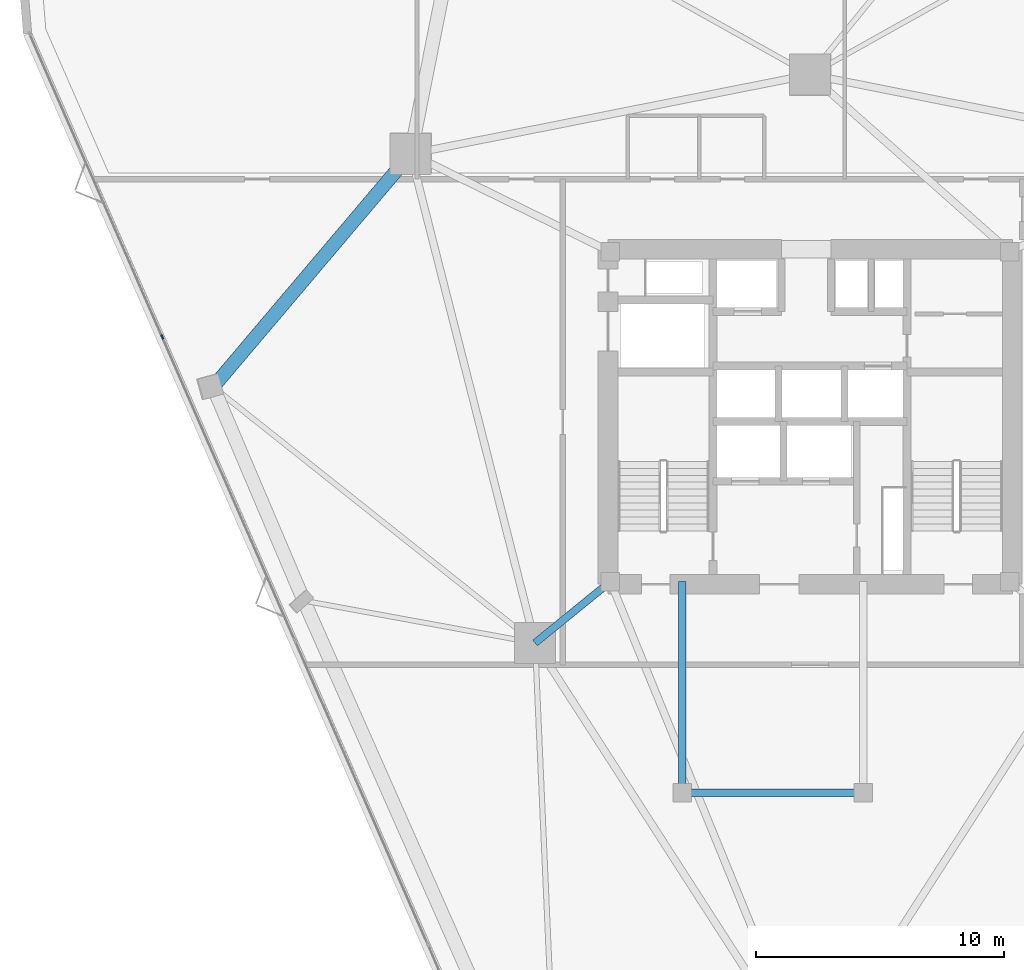
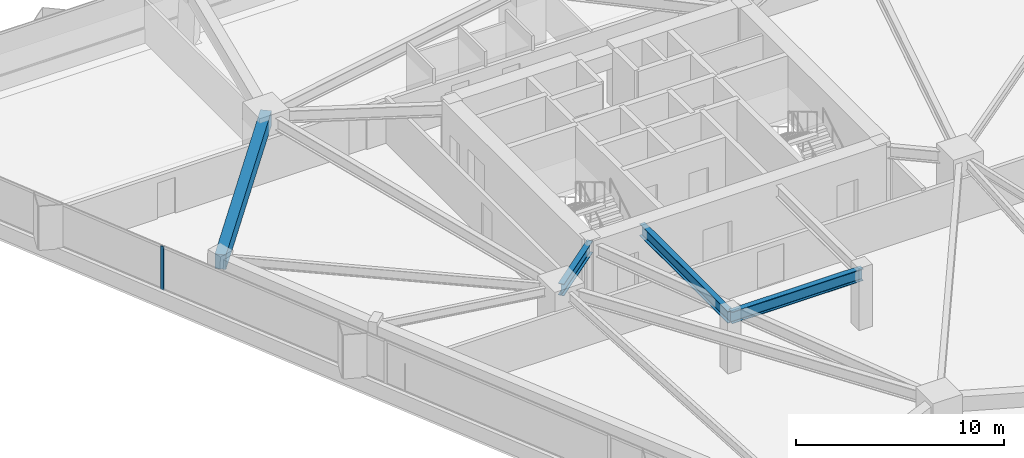
# One storey, part 6 of 20: 4 beams, 1 member, 1 element without a shape of its own.
"""IFC4 building model written with IfcOpenShell, lengths in metres."""

from ifc_helpers import new_model, si_unit, direction, frame, origin, origin_2d, place, context, subcontext, project, spatial, rectangle, i_section, extrude, material, layer, layer_set, material_profile, profile_set, type_object, element, aggregate, save


model = new_model("IFC4")

# Units and contexts
model_context = context("Model", 3, precision=1e-05, world=origin(), true_north=direction((0.0, 1.0)))
body_context = subcontext(model_context, "Body", "Model", "MODEL_VIEW")
ifc_project = project(units=[si_unit("LENGTHUNIT", "METRE"), si_unit("AREAUNIT", "SQUARE_METRE"), si_unit("VOLUMEUNIT", "CUBIC_METRE"), si_unit("PLANEANGLEUNIT", "RADIAN"), si_unit("MASSUNIT", "GRAM", prefix="KILO")], contexts=[model_context])

# Site, building, storey
site_placement = place(None, origin())
site = spatial("IfcSite", under=ifc_project, at=site_placement, CompositionType="ELEMENT")
building_placement = place(site_placement, origin())
building = spatial("IfcBuilding", under=site, at=building_placement, Name="Talyreon Biosciences Tower", CompositionType="ELEMENT")
storey_placement = place(building_placement, frame((0.0, 0.0, 78.64990234375)))
storey = spatial("IfcBuildingStorey", under=building, at=storey_placement, Name="L20", CompositionType="ELEMENT", Elevation=78.64990234375)

# Curtain wall, member
ifc_material_1 = material(Name="Thermally broken aluminium and low-E glazing", Category="aluminium")
ifc_layer = layer(ifc_material_1, 0.18994140625)
ifc_layer_set = layer_set([ifc_layer], Name="Thermally broken aluminium and low-E glazing")
curtain_wall_type = type_object("IfcCurtainWallType", Name="CurtainWall_Zone2Genomics", PredefinedType="NOTDEFINED", material=ifc_layer_set)
curtain_wall_placement = place(storey_placement, origin())
curtain_wall = element("IfcCurtainWall", 1, at=curtain_wall_placement, inside=storey, type_object=curtain_wall_type, Name="L20 Unitised Curtain Wall FCW-L20-00", PredefinedType="NOTDEFINED")
ifc_material_2 = material(Name="Anodised thermally broken aluminium", Category="aluminium")
ifc_material_profile_1 = material_profile(ifc_material_2, rectangle(XDim=0.06494140625, YDim=0.179931640625, at=origin_2d()), Name="ALUM MULLION 65x180")
ifc_profile_set_1 = profile_set([ifc_material_profile_1], Name="Anodised thermally broken aluminium")
member_type = type_object("IfcMemberType", Name="CWMullion_65x180", PredefinedType="MULLION", material=ifc_profile_set_1)
member_placement = place(storey_placement, frame((39.88134765625, 71.2197265625, 0.81005859375), z_axis=(0.0, 0.0, 1.0), x_axis=(-0.916213942072, -0.400689421314, 0.0)))
member = element("IfcMember", 2, at=member_placement, type_object=member_type, Name="CW3 mullion 5", PredefinedType="MULLION", context=body_context, shape_type="SweptSolid", body=[
    extrude(rectangle(XDim=0.06494140625, YDim=0.179931640625, at=origin_2d()), origin(), (0.0, 0.0, 1.0), 2.56494140625),
])
aggregate(curtain_wall, [member])

# Beams
ifc_material_3 = material(Name="Precast concrete C45/55", Category="concrete")
ifc_material_profile_2 = material_profile(ifc_material_3, rectangle(XDim=0.550048828125, YDim=0.85009765625, at=origin_2d()), Name="RCB 550x850")
ifc_profile_set_2 = profile_set([ifc_material_profile_2], Name="Precast concrete C45/55")
beam_type_1 = type_object("IfcBeamType", Name="ExpressedSpandrel_550x850", PredefinedType="SPANDREL", material=ifc_profile_set_2)
beam_1_placement = place(storey_placement, frame((49.897705078125, 78.5986328125, 2.9501953125), z_axis=(-0.646444871407, -0.762960699009, 0.0), x_axis=(0.762960699009, -0.646444871407, 0.0)))
element("IfcBeam", 3, at=beam_1_placement, inside=storey, type_object=beam_type_1, Name="L20 Expressed Horizontal Concrete Spandrel 09", PredefinedType="SPANDREL", context=body_context, shape_type="SweptSolid", body=[
    extrude(rectangle(XDim=0.550048828125, YDim=0.85009765625, at=origin_2d()), origin(), (0.0, 0.0, 1.0), 12.320556640625),
])
ifc_material_4 = material(Name="Steel SM355", Category="steel")
ifc_material_profile_3 = material_profile(ifc_material_4, i_section(OverallWidth=0.300048828125, OverallDepth=0.699951171875, WebThickness=0.01708984375, FlangeThickness=0.031982421875, FilletRadius=0.027099609375, at=origin_2d()), Name="HE700B")
ifc_profile_set_3 = profile_set([ifc_material_profile_3], Name="Steel SM355")
beam_type_2 = type_object("IfcBeamType", Name="SteelGirder_HE700B", PredefinedType="BEAM", material=ifc_profile_set_3)
beam_2_placement = place(storey_placement, frame((57.949951171875, 61.35009765625, 3.025146484375), z_axis=(-0.775755154013, -0.631034025249, 0.0), x_axis=(0.631034025249, -0.775755154013, 0.0)))
element("IfcBeam", 4, at=beam_2_placement, inside=storey, type_object=beam_type_2, Name="L20 Radial Primary Girder 6", PredefinedType="BEAM", context=body_context, shape_type="SweptSolid", body=[
    extrude(i_section(OverallWidth=0.300048828125, OverallDepth=0.699951171875, WebThickness=0.01708984375, FlangeThickness=0.031982421875, FilletRadius=0.027099609375, at=origin_2d()), origin(), (0.0, 0.0, 1.0), 3.913818359375),
])
beam_3_placement = place(storey_placement, frame((60.85009765625, 52.840087890625, 3.025146484375), z_axis=(1.0, 0.0, 0.0), x_axis=(0.0, 1.0, 0.0)))
element("IfcBeam", 5, at=beam_3_placement, inside=storey, type_object=beam_type_2, Name="L20 Crown Shaft Spine Girder S", PredefinedType="BEAM", context=body_context, shape_type="SweptSolid", body=[
    extrude(i_section(OverallWidth=0.300048828125, OverallDepth=0.699951171875, WebThickness=0.01708984375, FlangeThickness=0.031982421875, FilletRadius=0.027099609375, at=origin_2d()), origin(), (0.0, 0.0, 1.0), 7.2998046875),
])
beam_4_placement = place(storey_placement, frame((60.85009765625, 52.840087890625, 3.025146484375), z_axis=(0.0, 1.0, 0.0), x_axis=(-1.0, 0.0, 0.0)))
element("IfcBeam", 6, at=beam_4_placement, inside=storey, type_object=beam_type_2, Name="L20 Crown Shaft Tie Girder W", PredefinedType="BEAM", context=body_context, shape_type="SweptSolid", body=[
    extrude(i_section(OverallWidth=0.300048828125, OverallDepth=0.699951171875, WebThickness=0.01708984375, FlangeThickness=0.031982421875, FilletRadius=0.027099609375, at=origin_2d()), origin(), (0.0, 0.0, 1.0), 8.510009765625),
])

save(model, "model.ifc")
